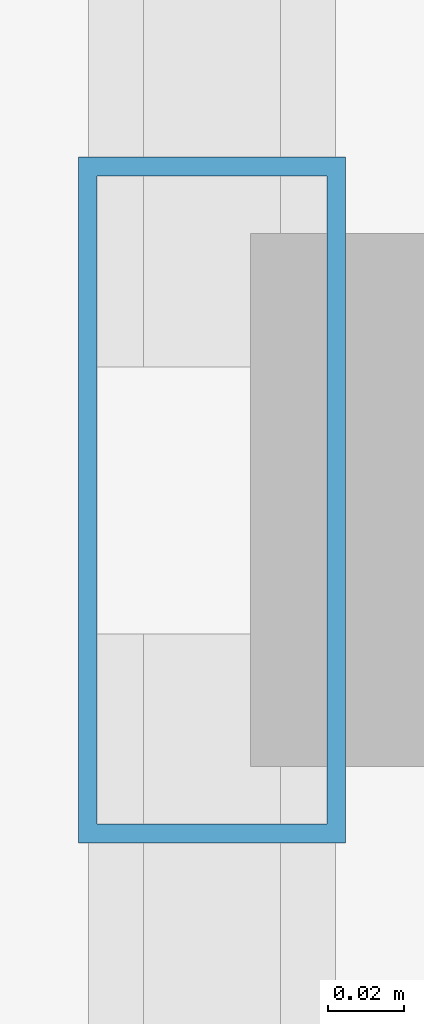
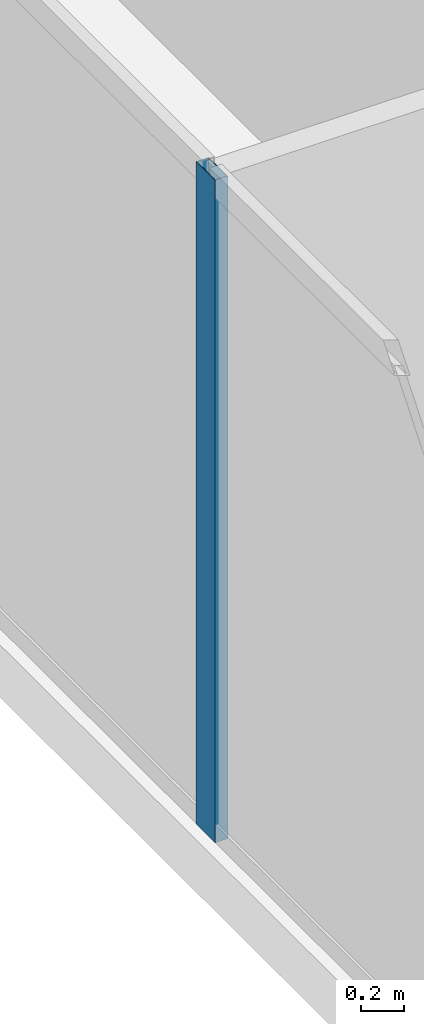
# One storey, part 9 of 33: 1 member, 1 element without a shape of its own.
"""IFC4 building model written with IfcOpenShell, lengths in metres."""

from ifc_helpers import new_model, si_unit, direction, frame, origin, origin_2d, place, context, subcontext, project, spatial, hollow_rectangle, extrude, source, transform, mapped, material, layer, layer_set, material_profile, profile_set, type_object, type_shapes, element, aggregate, save


model = new_model("IFC4")

# Units and contexts
model_context = context("Model", 3, precision=1e-05, world=origin(), true_north=direction((0.0, 1.0)))
body_context = subcontext(model_context, "Body", "Model", "MODEL_VIEW")
ifc_project = project(units=[si_unit("LENGTHUNIT", "METRE"), si_unit("AREAUNIT", "SQUARE_METRE"), si_unit("VOLUMEUNIT", "CUBIC_METRE"), si_unit("PLANEANGLEUNIT", "RADIAN"), si_unit("MASSUNIT", "GRAM", prefix="KILO")], contexts=[model_context])

# Site, building, storey
site_placement = place(None, origin())
site = spatial("IfcSite", under=ifc_project, at=site_placement, CompositionType="ELEMENT")
building_placement = place(site_placement, origin())
building = spatial("IfcBuilding", under=site, at=building_placement, Name="Haelvirn Gate Laboratories", CompositionType="ELEMENT")
storey_placement = place(building_placement, frame((0.0, 0.0, 217.800048828125)))
storey = spatial("IfcBuildingStorey", under=building, at=storey_placement, Name="L52", CompositionType="ELEMENT", Elevation=217.800048828125)

# Curtain wall, member
ifc_material_1 = material(Name="Anodised bronze unitised aluminium & triple low-E glass", Category="aluminium")
ifc_layer = layer(ifc_material_1, 0.176025390625, Name="CW-SYS-4")
ifc_layer_set = layer_set([ifc_layer], Name="Anodised bronze unitised aluminium & triple low-E glass")
curtain_wall_type = type_object("IfcCurtainWallType", Name="CW-SYS-4", PredefinedType="NOTDEFINED", material=ifc_layer_set)
curtain_wall_placement = place(storey_placement, origin())
curtain_wall = element("IfcCurtainWall", 1, at=curtain_wall_placement, inside=storey, type_object=curtain_wall_type, Name="L52 Unitised Curtain Wall CW-L52-P0-E17", PredefinedType="NOTDEFINED")
ifc_material_2 = material(Name="Extruded aluminium 6063-T6 (anodised bronze)", Category="aluminium")
ifc_material_profile = material_profile(ifc_material_2, hollow_rectangle(XDim=0.070068359375, YDim=0.179931640625, WallThickness=0.0048828125, at=origin_2d()), Name="CWM-180x70x5")
ifc_profile_set = profile_set([ifc_material_profile], Name="Extruded aluminium 6063-T6 (anodised bronze)")
member_type = type_object("IfcMemberType", Name="CWM-T180", PredefinedType="MULLION", material=ifc_profile_set)
shared_shape = source(origin(), body_context, "Body", "SweptSolid", [
    extrude(hollow_rectangle(XDim=0.070068359375, YDim=0.179931640625, WallThickness=0.0048828125, at=origin_2d()), origin(), (0.0, 0.0, 1.0), 3.800048828125),
])
type_shapes(member_type, [shared_shape])
member_placement = place(storey_placement, frame((4.10009765625, 24.300048828125, 0.0), z_axis=(0.0, 0.0, 1.0), x_axis=(1.0, 0.0, 0.0)))
member = element("IfcMember", 2, at=member_placement, type_object=member_type, Name="CW4 mullion 2", PredefinedType="MULLION", context=body_context, shape_type="MappedRepresentation", body=[
    mapped(shared_shape, transform((0.0, 0.0, 0.0), scale=1.0)),
])
aggregate(curtain_wall, [member])

save(model, "model.ifc")
